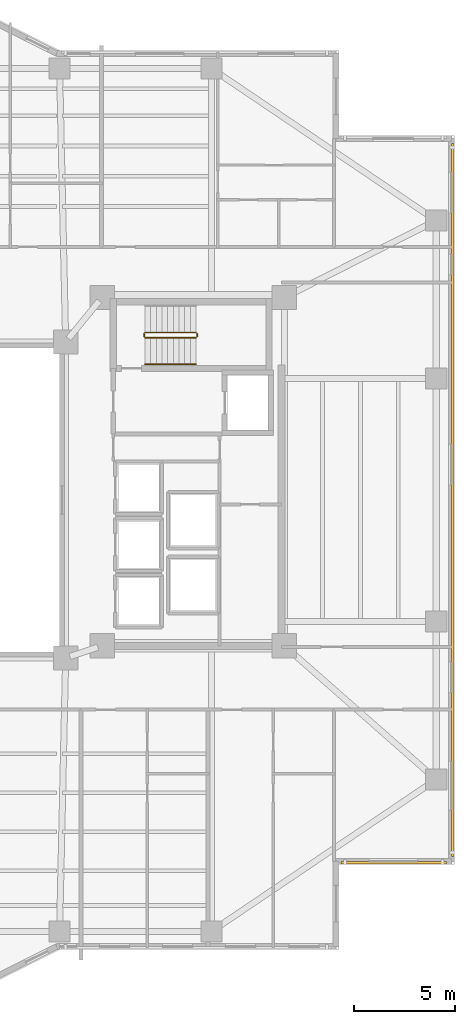
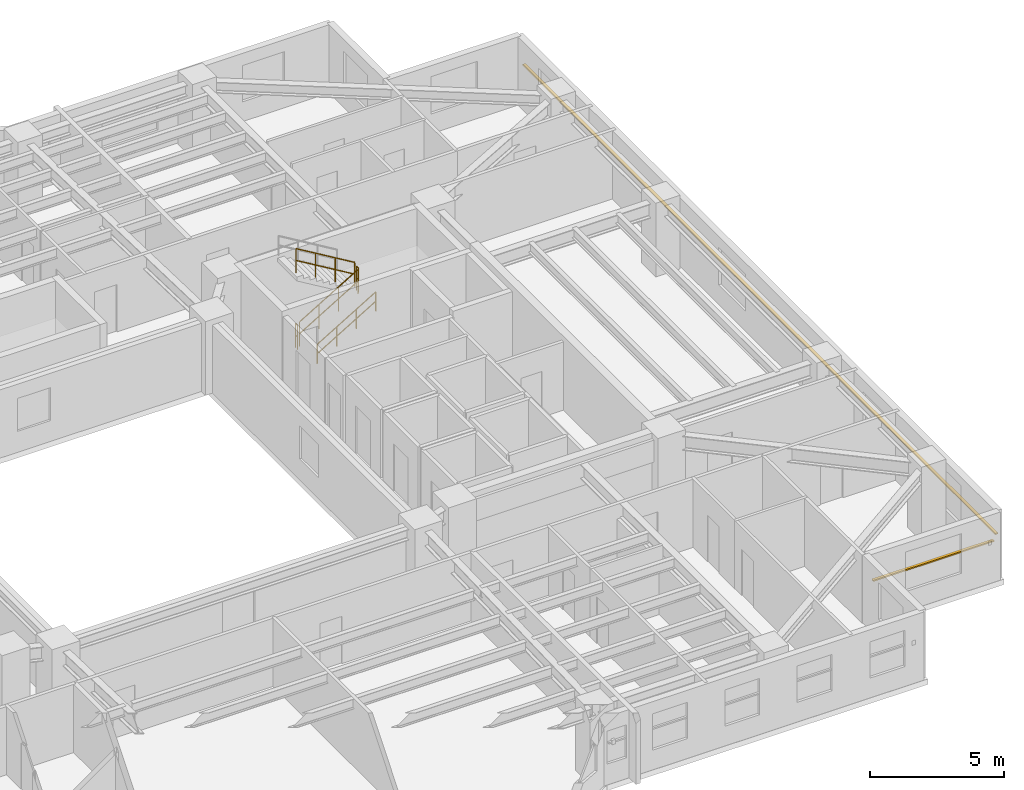
# One storey, part 16 of 18: 5 railings, 2 shading devices.
"""IFC4 building model written with IfcOpenShell, lengths in metres."""

from ifc_helpers import new_model, si_unit, direction, frame, origin, origin_2d, place, context, subcontext, project, spatial, rectangle, circle, extrude, material, material_profile, profile_set, type_object, element, save


model = new_model("IFC4")

# Units and contexts
model_context = context("Model", 3, precision=1e-05, world=origin(), true_north=direction((0.0, 1.0)))
body_context = subcontext(model_context, "Body", "Model", "MODEL_VIEW")
ifc_project = project(units=[si_unit("LENGTHUNIT", "METRE"), si_unit("AREAUNIT", "SQUARE_METRE"), si_unit("VOLUMEUNIT", "CUBIC_METRE"), si_unit("PLANEANGLEUNIT", "RADIAN"), si_unit("MASSUNIT", "GRAM", prefix="KILO")], contexts=[model_context])

# Site, building, storey
site_placement = place(None, origin())
site = spatial("IfcSite", under=ifc_project, at=site_placement, CompositionType="ELEMENT")
building_placement = place(site_placement, origin())
building = spatial("IfcBuilding", under=site, at=building_placement, Name="Tarnavaz Court Tower", CompositionType="ELEMENT")
storey_placement = place(building_placement, frame((0.0, 0.0, 101.75)))
storey = spatial("IfcBuildingStorey", under=building, at=storey_placement, Name="L27", CompositionType="ELEMENT", Elevation=101.75)

# Railings
ifc_material_1 = material(Name="Brushed Stainless Steel", Category="steel")
railing_type_1 = type_object("IfcRailingType", Name="RL-HANDRAIL-900", PredefinedType="HANDRAIL", material=ifc_material_1)
railing_1_placement = place(storey_placement, frame((11.719970703125, 6.699951171875, 0.16748046875)))
element("IfcRailing", 1, at=railing_1_placement, inside=storey, type_object=railing_type_1, Name="L27 ST-E1 stair handrail 1", PredefinedType="HANDRAIL", context=body_context, shape_type="SweptSolid", body=[
    extrude(circle(Radius=0.02392578125, at=origin_2d()), frame((0.0, 0.0, 0.8759765625), z_axis=(0.858159760407, 0.0, 0.513382728203), x_axis=(0.0, 1.0, 0.0)), (0.0, 0.0, 1.0), 2.9365234375),
    extrude(circle(Radius=0.02392578125, at=origin_2d()), frame((0.0, 0.0, 0.449951171875), z_axis=(0.858159760407, 0.0, 0.513382728203), x_axis=(0.0, 1.0, 0.0)), (0.0, 0.0, 1.0), 2.9365234375),
    extrude(circle(Radius=0.02099609375, at=origin_2d()), origin(), (0.0, 0.0, 1.0), 0.851806640625),
    extrude(circle(Radius=0.02099609375, at=origin_2d()), frame((0.840087890625, 0.0, 0.50244140625)), (0.0, 0.0, 1.0), 0.851806640625),
    extrude(circle(Radius=0.02099609375, at=origin_2d()), frame((1.679931640625, 0.0, 1.005126953125)), (0.0, 0.0, 1.0), 0.851806640625),
    extrude(circle(Radius=0.02099609375, at=origin_2d()), frame((2.52001953125, 0.0, 1.507568359375)), (0.0, 0.0, 1.0), 0.851806640625),
])
ifc_material_2 = material(Name="Galvanized Painted Tubular Steel", Category="steel")
railing_type_2 = type_object("IfcRailingType", Name="RL-STGUARD-1120", PredefinedType="GUARDRAIL", material=ifc_material_2)
railing_2_placement = place(storey_placement, frame((11.719970703125, 8.02001953125, 0.16748046875)))
element("IfcRailing", 2, at=railing_2_placement, inside=storey, type_object=railing_type_2, Name="L27 ST-E1 stair guard 1", PredefinedType="GUARDRAIL", context=body_context, shape_type="SweptSolid", body=[
    extrude(circle(Radius=0.02392578125, at=origin_2d()), frame((0.0, 0.0, 1.09619140625), z_axis=(0.858159760407, 0.0, 0.513382728203), x_axis=(0.0, 1.0, 0.0)), (0.0, 0.0, 1.0), 2.9365234375),
    extrude(circle(Radius=0.02392578125, at=origin_2d()), frame((0.0, 0.0, 0.56005859375), z_axis=(0.858159760407, 0.0, 0.513382728203), x_axis=(0.0, 1.0, 0.0)), (0.0, 0.0, 1.0), 2.9365234375),
    extrude(circle(Radius=0.02099609375, at=origin_2d()), origin(), (0.0, 0.0, 1.0), 1.072021484375),
    extrude(circle(Radius=0.02099609375, at=origin_2d()), frame((0.840087890625, 0.0, 0.50244140625)), (0.0, 0.0, 1.0), 1.072021484375),
    extrude(circle(Radius=0.02099609375, at=origin_2d()), frame((1.679931640625, 0.0, 1.005126953125)), (0.0, 0.0, 1.0), 1.072021484375),
    extrude(circle(Radius=0.02099609375, at=origin_2d()), frame((2.52001953125, 0.0, 1.507568359375)), (0.0, 0.0, 1.0), 1.072021484375),
])
railing_3_placement = place(storey_placement, frame((14.2900390625, 8.070068359375, 1.675048828125)))
element("IfcRailing", 3, at=railing_3_placement, inside=storey, type_object=railing_type_2, Name="L27 ST-E1 stair guard 2", PredefinedType="GUARDRAIL", context=body_context, shape_type="SweptSolid", body=[
    extrude(circle(Radius=0.02392578125, at=origin_2d()), frame((0.0, 0.0, 1.09619140625), z_axis=(0.0, 1.0, 0.0), x_axis=(-1.0, 0.0, 0.0)), (0.0, 0.0, 1.0), 0.14990234375),
    extrude(circle(Radius=0.02392578125, at=origin_2d()), frame((0.0, 0.0, 0.56005859375), z_axis=(0.0, 1.0, 0.0), x_axis=(-1.0, 0.0, 0.0)), (0.0, 0.0, 1.0), 0.14990234375),
    extrude(circle(Radius=0.02099609375, at=origin_2d()), origin(), (0.0, 0.0, 1.0), 1.072021484375),
    extrude(circle(Radius=0.02099609375, at=origin_2d()), frame((0.0, 0.14990234375, 0.0)), (0.0, 0.0, 1.0), 1.072021484375),
])
railing_4_placement = place(storey_placement, frame((14.239990234375, 8.27001953125, 1.842529296875)))
element("IfcRailing", 4, at=railing_4_placement, inside=storey, type_object=railing_type_2, Name="L27 ST-E1 stair guard 3", PredefinedType="GUARDRAIL", context=body_context, shape_type="SweptSolid", body=[
    extrude(circle(Radius=0.02392578125, at=origin_2d()), frame((0.0, 0.0, 1.09619140625), z_axis=(-0.858159760407, 0.0, 0.513382728203), x_axis=(0.0, -1.0, 0.0)), (0.0, 0.0, 1.0), 2.9365234375),
    extrude(circle(Radius=0.02392578125, at=origin_2d()), frame((0.0, 0.0, 0.56005859375), z_axis=(-0.858159760407, 0.0, 0.513382728203), x_axis=(0.0, -1.0, 0.0)), (0.0, 0.0, 1.0), 2.9365234375),
    extrude(circle(Radius=0.02099609375, at=origin_2d()), origin(), (0.0, 0.0, 1.0), 1.072021484375),
    extrude(circle(Radius=0.02099609375, at=origin_2d()), frame((-0.840087890625, 0.0, 0.50244140625)), (0.0, 0.0, 1.0), 1.072021484375),
    extrude(circle(Radius=0.02099609375, at=origin_2d()), frame((-1.679931640625, 0.0, 1.005126953125)), (0.0, 0.0, 1.0), 1.072021484375),
    extrude(circle(Radius=0.02099609375, at=origin_2d()), frame((-2.52001953125, 0.0, 1.507568359375)), (0.0, 0.0, 1.0), 1.072021484375),
])
railing_5_placement = place(storey_placement, frame((11.669921875, 8.070068359375, 0.0)))
element("IfcRailing", 5, at=railing_5_placement, inside=storey, type_object=railing_type_2, Name="L27 ST-E1 stair guard 4", PredefinedType="GUARDRAIL", context=body_context, shape_type="SweptSolid", body=[
    extrude(circle(Radius=0.02392578125, at=origin_2d()), frame((0.0, 0.0, 1.09619140625), z_axis=(0.0, 1.0, 0.0), x_axis=(-1.0, 0.0, 0.0)), (0.0, 0.0, 1.0), 0.14990234375),
    extrude(circle(Radius=0.02392578125, at=origin_2d()), frame((0.0, 0.0, 0.56005859375), z_axis=(0.0, 1.0, 0.0), x_axis=(-1.0, 0.0, 0.0)), (0.0, 0.0, 1.0), 0.14990234375),
    extrude(circle(Radius=0.02099609375, at=origin_2d()), origin(), (0.0, 0.0, 1.0), 1.072021484375),
    extrude(circle(Radius=0.02099609375, at=origin_2d()), frame((0.0, 0.14990234375, 0.0)), (0.0, 0.0, 1.0), 1.072021484375),
])

# Shading devices
ifc_material_3 = material(Name="Kiln-Fired Khorasan Terracotta Ceramic", Category="masonry")
ifc_material_profile = material_profile(ifc_material_3, rectangle(XDim=0.1201171875, YDim=0.06005859375, at=origin_2d()), Name="TC BAGUETTE 120X60")
ifc_profile_set = profile_set([ifc_material_profile], Name="Kiln-Fired Khorasan Terracotta Ceramic")
shading_device_type = type_object("IfcShadingDeviceType", Name="SD-BAG-120", PredefinedType="USERDEFINED", material=ifc_profile_set)
shading_device_1_placement = place(storey_placement, frame((26.909912109375, 17.60009765625, 1.85009765625), z_axis=(0.0, -1.0, 0.0), x_axis=(1.0, 0.0, 0.0)))
element("IfcShadingDevice", 6, at=shading_device_1_placement, inside=storey, type_object=shading_device_type, Name="L27 Terracotta Baguette Screen FBG12", ObjectType="BAGUETTE", PredefinedType="USERDEFINED", context=body_context, shape_type="SweptSolid", body=[
    extrude(rectangle(XDim=0.1201171875, YDim=0.06005859375, at=origin_2d()), origin(), (0.0, 0.0, 1.0), 35.2001953125),
])
shading_device_2_placement = place(storey_placement, frame((26.60009765625, -17.909912109375, 1.85009765625), z_axis=(-1.0, 0.0, 0.0), x_axis=(0.0, -1.0, 0.0)))
element("IfcShadingDevice", 7, at=shading_device_2_placement, inside=storey, type_object=shading_device_type, Name="L27 Terracotta Baguette Screen FBG13", ObjectType="BAGUETTE", PredefinedType="USERDEFINED", context=body_context, shape_type="SweptSolid", body=[
    extrude(rectangle(XDim=0.1201171875, YDim=0.06005859375, at=origin_2d()), origin(), (0.0, 0.0, 1.0), 5.2001953125),
])

save(model, "model.ifc")
